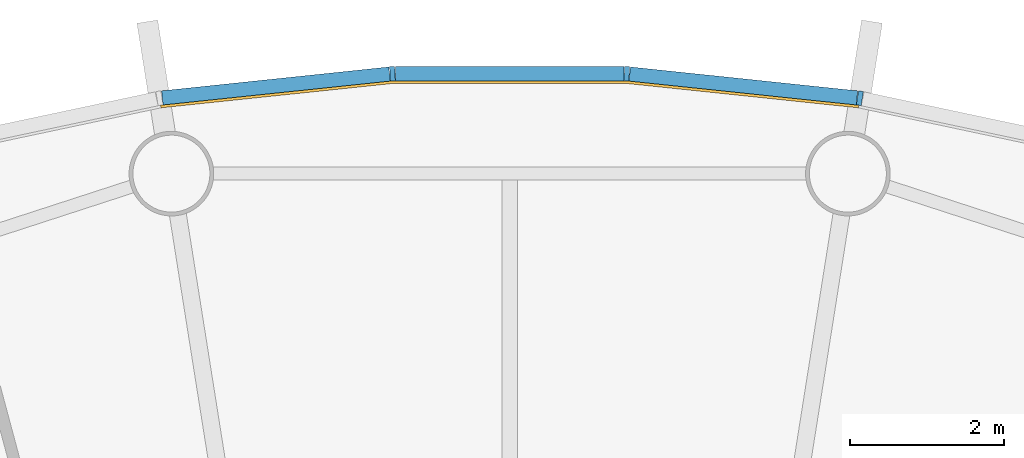
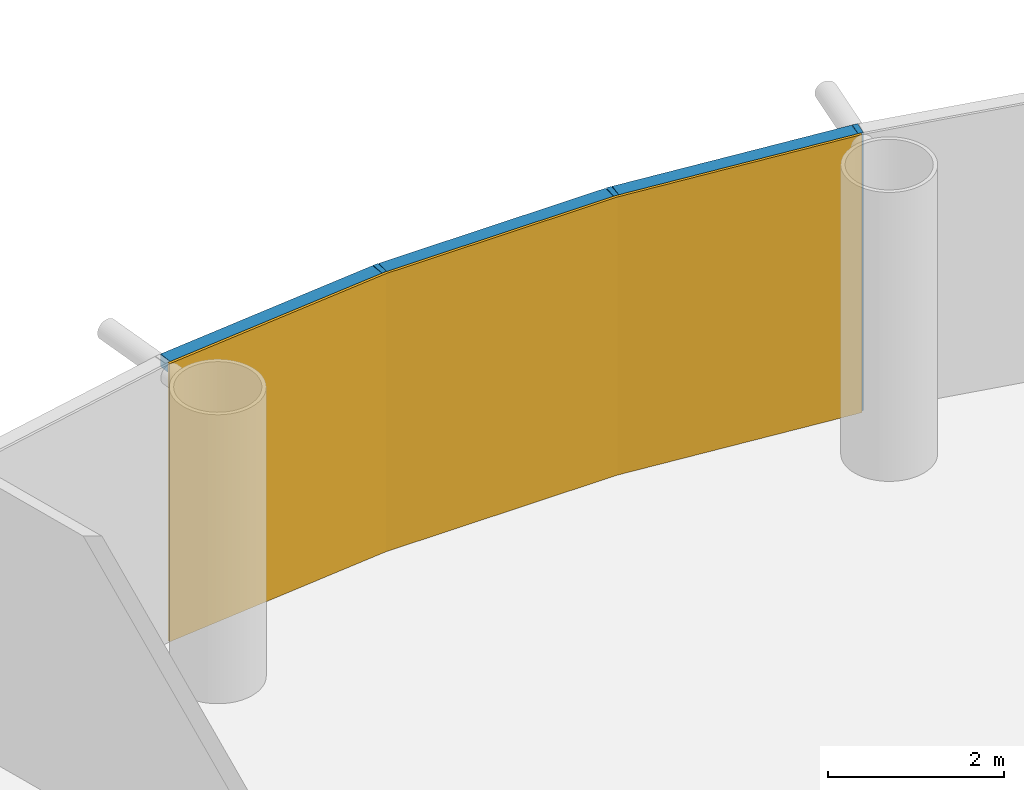
# One storey, part 10 of 12: 6 members, 1 curtain wall.
"""IFC4 building model written with IfcOpenShell, lengths in metres."""

import ifcopenshell
import ifcopenshell.guid

model = None  # the IFC model being written
_history = None  # IfcOwnerHistory: only IFC2X3 demands one
_inside = {}  # id of a spatial element -> (the spatial element, [elements in it])
_under = {}  # id of a project, library or spatial element -> (it, [spatial elements below it])
_declared = {}  # id of a project -> (the project, [libraries it declares])
_typed = {}  # id of a type object -> (the type object, [elements of that type])
_made_of = {}  # id of a material, layer set ... -> (it, [elements and type objects made of it])


def new_model(schema):
    """Start an empty IFC model of exactly this schema.

    Asked for "IFC4X3", IfcOpenShell would pick the latest addendum, in which some entities
    have other attributes; the version numbers below select the first issue.
    IFC2X3 requires an IfcOwnerHistory on every rooted entity: one is made here for all.
    """
    global model, _history
    if schema == "IFC4X3":
        model = ifcopenshell.file(schema_version=(4, 3, 0, 0))
    else:
        model = ifcopenshell.file(schema=schema)
    _inside.clear()
    _under.clear()
    _declared.clear()
    _typed.clear()
    _made_of.clear()
    _history = None
    if model.schema == "IFC2X3":
        org = make("IfcOrganization", Name="unknown")
        user = make(
            "IfcPersonAndOrganization",
            ThePerson=make("IfcPerson", FamilyName="unknown"),
            TheOrganization=org,
        )
        app = make(
            "IfcApplication",
            ApplicationDeveloper=org,
            Version="unknown",
            ApplicationFullName="unknown",
            ApplicationIdentifier="unknown",
        )
        _history = make(
            "IfcOwnerHistory",
            OwningUser=user,
            OwningApplication=app,
            ChangeAction="ADDED",
            CreationDate=0,
        )
    return model


def make(cls, **values):
    """One entity of the class cls with the attributes given. An attribute that is None is left unset."""
    return model.create_entity(
        cls, **{name: value for name, value in values.items() if value is not None}
    )


def rooted(cls, **values):
    """An entity with a GlobalId (a new one), such as an element, a storey or a relation."""
    return make(cls, GlobalId=ifcopenshell.guid.new(), OwnerHistory=_history, **values)


def si_unit(unit_type, name, prefix=None):
    """IfcSIUnit, for example si_unit("LENGTHUNIT", "METRE", prefix="MILLI")."""
    return make("IfcSIUnit", UnitType=unit_type, Prefix=prefix, Name=name)


def assignment(units):
    """IfcUnitAssignment: the units of a project."""
    return None if units is None else make("IfcUnitAssignment", Units=units)


def point(xyz):
    """IfcCartesianPoint."""
    return None if xyz is None else make("IfcCartesianPoint", Coordinates=xyz)


def direction(xyz):
    """IfcDirection."""
    return None if xyz is None else make("IfcDirection", DirectionRatios=xyz)


def frame(location, z_axis=None, x_axis=None):
    """IfcAxis2Placement3D, a coordinate frame: its origin and axes. An axis left out is left unset."""
    return make(
        "IfcAxis2Placement3D",
        Location=point(location),
        Axis=direction(z_axis),
        RefDirection=direction(x_axis),
    )


def frame_2d(location, x_axis=None):
    """IfcAxis2Placement2D, a coordinate frame in the plane: its origin and x axis."""
    return make(
        "IfcAxis2Placement2D", Location=point(location), RefDirection=direction(x_axis)
    )


def origin():
    """The frame at (0, 0, 0) with its axes left unset."""
    return frame((0.0, 0.0, 0.0))


def origin_2d():
    """The frame at (0, 0) in the plane with its x axis left unset."""
    return frame_2d((0.0, 0.0))


def place(relative_to, where):
    """IfcLocalPlacement: puts the frame where relative to a parent placement (None: the world)."""
    return make(
        "IfcLocalPlacement", PlacementRelTo=relative_to, RelativePlacement=where
    )


def context(
    kind, dimensions, precision=None, world=None, true_north=None, identifier=None
):
    """IfcGeometricRepresentationContext, for example the 3D "Model" context."""
    return make(
        "IfcGeometricRepresentationContext",
        ContextIdentifier=identifier,
        ContextType=kind,
        CoordinateSpaceDimension=dimensions,
        Precision=precision,
        WorldCoordinateSystem=world,
        TrueNorth=true_north,
    )


def subcontext(parent, identifier, kind, view, scale=None):
    """IfcGeometricRepresentationSubContext, for example "Body" below "Model"."""
    return make(
        "IfcGeometricRepresentationSubContext",
        ContextIdentifier=identifier,
        ContextType=kind,
        ParentContext=parent,
        TargetScale=scale,
        TargetView=view,
    )


def project(units=None, contexts=None):
    """IfcProject with its units and contexts."""
    return rooted(
        "IfcProject",
        Name="project",
        RepresentationContexts=contexts,
        UnitsInContext=assignment(units),
    )


def spatial(cls, under=None, at=None, **own):
    """A site, building, storey or space (cls), placed at a placement, below another one or the project."""
    s = rooted(cls, ObjectPlacement=at, **own)
    if under is not None:
        _under.setdefault(under.id(), (under, []))[1].append(s)
    return s


def polyline(points):
    """IfcPolyline through the points."""
    return make("IfcPolyline", Points=[point(p) for p in points])


def profile(cls, at=None, kind="AREA", **sizes):
    """A parametric profile (cls). Its sizes go by their IFC names, for example OverallWidth=200.0."""
    return make(cls, ProfileType=kind, Position=at, **sizes)


def rectangle(**sizes):
    """IfcRectangleProfileDef."""
    return profile("IfcRectangleProfileDef", **sizes)


def outline(outer, holes=None, kind="AREA"):
    """IfcArbitraryClosedProfileDef: a profile drawn as a closed curve; with holes, ...WithVoids."""
    if holes is None:
        return make("IfcArbitraryClosedProfileDef", ProfileType=kind, OuterCurve=outer)
    return make(
        "IfcArbitraryProfileDefWithVoids",
        ProfileType=kind,
        OuterCurve=outer,
        InnerCurves=holes,
    )


def extrude(swept, where, along, depth):
    """IfcExtrudedAreaSolid: the profile swept, set in the frame where, extruded along a direction by depth."""
    return make(
        "IfcExtrudedAreaSolid",
        SweptArea=swept,
        Position=where,
        ExtrudedDirection=direction(along),
        Depth=depth,
    )


def shape(context_of_items, identifier, shape_type, items):
    """IfcShapeRepresentation: the items that make up one representation, for example the "Body"."""
    return make(
        "IfcShapeRepresentation",
        ContextOfItems=context_of_items,
        RepresentationIdentifier=identifier,
        RepresentationType=shape_type,
        Items=items,
    )


def material(Name=None, Category=None):
    """IfcMaterial."""
    return make("IfcMaterial", Name=Name, Category=Category)


def layer(
    of_material, thickness, ventilated=None, Name=None, Category=None, Priority=None
):
    """IfcMaterialLayer: one layer of a wall or slab, of a material (None: an air gap)."""
    return make(
        "IfcMaterialLayer",
        Material=of_material,
        LayerThickness=thickness,
        IsVentilated=ventilated,
        Name=Name,
        Category=Category,
        Priority=Priority,
    )


def layer_set(layers, Name=None):
    """IfcMaterialLayerSet."""
    return make("IfcMaterialLayerSet", MaterialLayers=layers, LayerSetName=Name)


def material_profile(
    of_material, cross_section, Name=None, Category=None, Priority=None
):
    """IfcMaterialProfile: a cross section and its material."""
    return make(
        "IfcMaterialProfile",
        Name=Name,
        Material=of_material,
        Profile=cross_section,
        Priority=Priority,
        Category=Category,
    )


def profile_set(profiles, Name=None, composite=None):
    """IfcMaterialProfileSet."""
    return make(
        "IfcMaterialProfileSet",
        Name=Name,
        MaterialProfiles=profiles,
        CompositeProfile=composite,
    )


def made_of(thing, what):
    """Note that an element or type object is made of a material, layer set ...; save() writes the relation."""
    if what is not None:
        _made_of.setdefault(what.id(), (what, []))[1].append(thing)
    return thing


def type_object(cls, material=None, **own):
    """A type object (cls), such as IfcWallType, which elements share."""
    return made_of(rooted(cls, **own), material)


def element(
    cls,
    number,
    at=None,
    inside=None,
    cuts=None,
    type_object=None,
    material=None,
    context=None,
    identifier="Body",
    shape_type=None,
    held_by="IfcProductDefinitionShape",
    body=None,
    shapes=None,
    **own,
):
    """One element of the class cls, such as IfcWall. Its Tag is "e" and its number.

    at: its placement. inside: the storey or other place that contains it. cuts: it is an
    opening in that element (IfcRelVoidsElement). A single representation is given by context,
    identifier, shape_type and body (its items); several are given by shapes. held_by: the class
    of the entity that holds the representations. save() writes the other relations.
    """
    e = rooted(cls, Tag="e%d" % number, ObjectPlacement=at, **own)
    if body is not None:
        shapes = [shape(context, identifier, shape_type, body)]
    if shapes is not None:
        e.Representation = make(held_by, Representations=shapes)
    if inside is not None:
        _inside.setdefault(inside.id(), (inside, []))[1].append(e)
    if cuts is not None:
        rooted(
            "IfcRelVoidsElement", RelatingBuildingElement=cuts, RelatedOpeningElement=e
        )
    if type_object is not None:
        _typed.setdefault(type_object.id(), (type_object, []))[1].append(e)
    return made_of(e, material)


def aggregate(whole, parts):
    """IfcRelAggregates: a whole, such as a stair, and the parts it consists of."""
    return rooted("IfcRelAggregates", RelatingObject=whole, RelatedObjects=parts)


def save(model, path):
    """Write the relations noted so far, then the file.

    IfcRelAggregates (storeys below a building ...), IfcRelContainedInSpatialStructure (elements
    in a storey), IfcRelDefinesByType, IfcRelAssociatesMaterial and IfcRelDeclares: one each for
    every whole, place, type object, material and project.
    """
    for whole, parts in _under.values():
        aggregate(whole, parts)
    for where, things in _inside.values():
        rooted(
            "IfcRelContainedInSpatialStructure",
            RelatedElements=things,
            RelatingStructure=where,
        )
    for kind, things in _typed.values():
        rooted("IfcRelDefinesByType", RelatedObjects=things, RelatingType=kind)
    for what, things in _made_of.values():
        rooted("IfcRelAssociatesMaterial", RelatedObjects=things, RelatingMaterial=what)
    for by, libraries in _declared.values():
        rooted("IfcRelDeclares", RelatingContext=by, RelatedDefinitions=libraries)
    model.write(path)


model = new_model("IFC4")

# Units and contexts
model_context = context("Model", 3, precision=1e-05, world=origin(), true_north=direction((0.0, 1.0)))
body_context = subcontext(model_context, "Body", "Model", "MODEL_VIEW")
ifc_project = project(units=[si_unit("LENGTHUNIT", "METRE"), si_unit("AREAUNIT", "SQUARE_METRE"), si_unit("VOLUMEUNIT", "CUBIC_METRE"), si_unit("PLANEANGLEUNIT", "RADIAN"), si_unit("MASSUNIT", "GRAM", prefix="KILO")], contexts=[model_context])

# Member
ifc_material_1 = material(Name="Anodised aluminium", Category="aluminium")
ifc_material_profile_1 = material_profile(ifc_material_1, rectangle(XDim=0.06494140625, YDim=0.18505859375, at=origin_2d()), Name="Mullion 65 x 185 mm anodised aluminium")
ifc_profile_set_1 = profile_set([ifc_material_profile_1], Name="Anodised aluminium")
member_type_1 = type_object("IfcMemberType", Name="Mullion 65 x 185 mm anodised aluminium", PredefinedType="MULLION", material=ifc_profile_set_1)
site_placement = place(None, origin())
building_placement = place(site_placement, origin())
storey_placement = place(building_placement, frame((0.0, 0.0, 196.0)))
member_1_placement = place(storey_placement, frame((94.551025390625, 108.734375, 0.0), z_axis=(0.0, 0.0, 1.0), x_axis=(-0.987688340595, 0.15643446504, 0.0)))
member_1 = element("IfcMember", 1, at=member_1_placement, type_object=member_type_1, Name="MULLION L45-12", PredefinedType="MULLION", context=body_context, shape_type="SweptSolid", body=[
    extrude(rectangle(XDim=0.06494140625, YDim=0.18505859375, at=origin_2d()), origin(), (0.0, 0.0, 1.0), 3.85009765625),
])

member_2_placement = place(storey_placement, frame((91.522705078125, 109.052734375, 0.0), z_axis=(0.0, 0.0, 1.0), x_axis=(-0.998629534755, 0.052335956243, 0.0)))
member_2 = element("IfcMember", 2, at=member_2_placement, type_object=member_type_1, Name="MULLION L45-13", PredefinedType="MULLION", context=body_context, shape_type="SweptSolid", body=[
    extrude(rectangle(XDim=0.06494140625, YDim=0.18505859375, at=origin_2d()), origin(), (0.0, 0.0, 1.0), 3.85009765625),
])

member_3_placement = place(storey_placement, frame((88.477294921875, 109.052734375, 0.0), z_axis=(0.0, 0.0, 1.0), x_axis=(-0.998629534755, -0.052335956243, 0.0)))
member_3 = element("IfcMember", 3, at=member_3_placement, type_object=member_type_1, Name="MULLION L45-14", PredefinedType="MULLION", context=body_context, shape_type="SweptSolid", body=[
    extrude(rectangle(XDim=0.06494140625, YDim=0.18505859375, at=origin_2d()), origin(), (0.0, 0.0, 1.0), 3.85009765625),
])

ifc_material_2 = material(Name="Anodised aluminium", Category="aluminium")
ifc_material_profile_2 = material_profile(ifc_material_2, rectangle(XDim=0.18505859375, YDim=0.175048828125, at=origin_2d()), Name="Transom 175 x 185 mm anodised aluminium")
ifc_profile_set_2 = profile_set([ifc_material_profile_2], Name="Anodised aluminium")
member_type_2 = type_object("IfcMemberType", Name="Transom 175 x 185 mm anodised aluminium", PredefinedType="USERDEFINED", material=ifc_profile_set_2)
member_4_placement = place(storey_placement, frame((94.513916015625, 108.73828125, 3.762451171875), z_axis=(-0.994519855197, 0.104547872381, 0.0), x_axis=(-0.104547872381, -0.994519855197, 0.0)))
member_4 = element("IfcMember", 4, at=member_4_placement, type_object=member_type_2, Name="TRANSOM L45-12", ObjectType="TRANSOM", PredefinedType="USERDEFINED", context=body_context, shape_type="SweptSolid", body=[
    extrude(rectangle(XDim=0.18505859375, YDim=0.175048828125, at=origin_2d()), origin(), (0.0, 0.0, 1.0), 2.970458984375),
])

member_5_placement = place(storey_placement, frame((91.4853515625, 109.052734375, 3.762451171875), z_axis=(-1.0, 0.0, 0.0), x_axis=(0.0, -1.0, 0.0)))
member_5 = element("IfcMember", 5, at=member_5_placement, type_object=member_type_2, Name="TRANSOM L45-13", ObjectType="TRANSOM", PredefinedType="USERDEFINED", context=body_context, shape_type="SweptSolid", body=[
    extrude(rectangle(XDim=0.18505859375, YDim=0.175048828125, at=origin_2d()), origin(), (0.0, 0.0, 1.0), 2.970703125),
])

member_6_placement = place(storey_placement, frame((88.440185546875, 109.048828125, 3.762451171875), z_axis=(-0.994519855197, -0.104547872381, 0.0), x_axis=(0.104547872381, -0.994519855197, 0.0)))
member_6 = element("IfcMember", 6, at=member_6_placement, type_object=member_type_2, Name="TRANSOM L45-14", ObjectType="TRANSOM", PredefinedType="USERDEFINED", context=body_context, shape_type="SweptSolid", body=[
    extrude(rectangle(XDim=0.18505859375, YDim=0.175048828125, at=origin_2d()), origin(), (0.0, 0.0, 1.0), 2.970458984375),
])

# Site, building, storey
site = spatial("IfcSite", under=ifc_project, at=site_placement, CompositionType="ELEMENT")
building = spatial("IfcBuilding", under=site, at=building_placement, Name="Entoto Ring Tower", CompositionType="ELEMENT")
storey = spatial("IfcBuildingStorey", under=building, at=storey_placement, Name="L45", CompositionType="ELEMENT", Elevation=196.0)

# Curtain wall
ifc_material_3 = material(Name="Clear low-iron glass", Category="glass")
ifc_layer = layer(ifc_material_3, 0.033935546875)
ifc_layer_set = layer_set([ifc_layer], Name="Clear low-iron glass")
curtain_wall_type = type_object("IfcCurtainWallType", Name="Curtain wall system CW3 glazing 34 mm", PredefinedType="NOTDEFINED", material=ifc_layer_set)
curtain_wall_placement = place(storey_placement, origin())
curtain_wall = element("IfcCurtainWall", 7, at=curtain_wall_placement, inside=storey, type_object=curtain_wall_type, Name="CW3 L45-05", PredefinedType="NOTDEFINED", context=body_context, shape_type="SweptSolid", body=[
    extrude(outline(polyline([(94.53662109375, 108.64306640625), (91.517822265625, 108.960205078125), (88.482177734375, 108.960205078125), (85.46337890625, 108.64306640625), (85.46875, 108.609375), (88.484130859375, 108.92626953125), (91.515869140625, 108.92626953125), (94.53125, 108.609375), (94.53662109375, 108.64306640625)])), origin(), (0.0, 0.0, 1.0), 3.85009765625),
])

aggregate(curtain_wall, [member_1, member_2, member_3, member_4, member_5, member_6])

save(model, "model.ifc")
